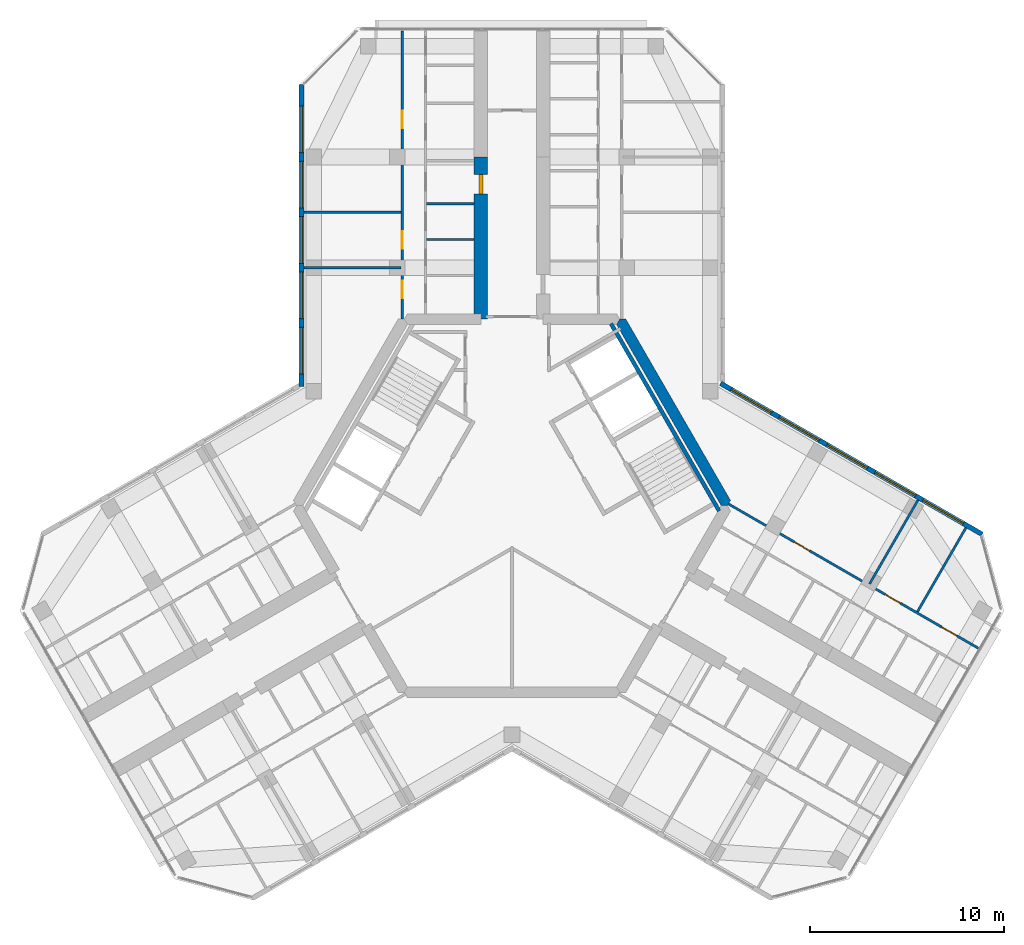
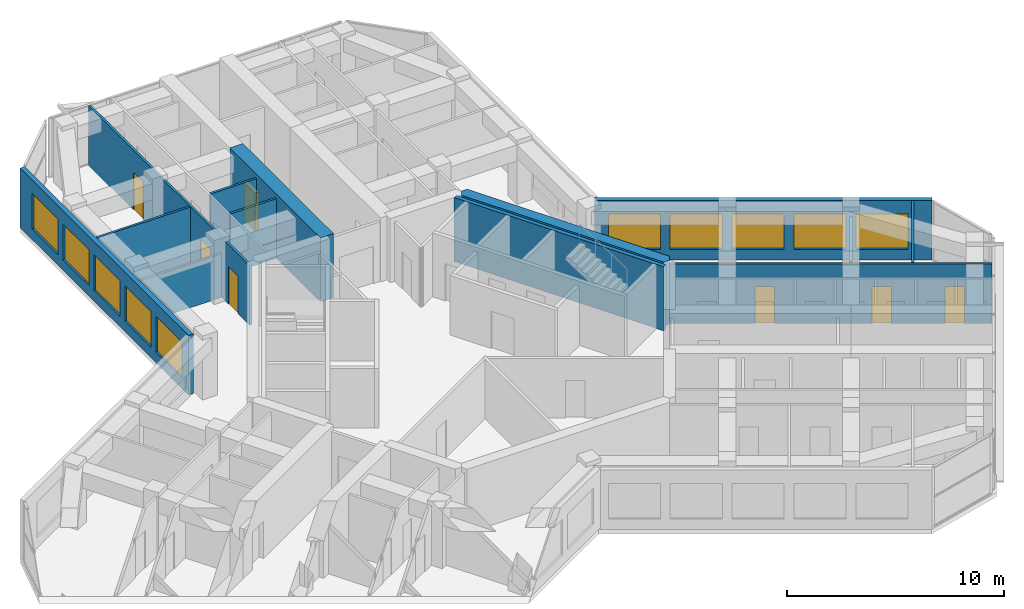
# One storey, part 11 of 14: 13 walls, 10 windows, 7 doors, 17 openings.
"""IFC4 building model written with IfcOpenShell, lengths in metres."""

from ifc_helpers import new_model, si_unit, direction, frame, frame_2d, origin, place, context, subcontext, project, spatial, polyline, rectangle, outline, extrude, material, layer, layer_set, type_object, element, fill, save


model = new_model("IFC4")

# Units and contexts
model_context = context("Model", 3, precision=1e-05, world=origin(), true_north=direction((0.0, 1.0)))
body_context = subcontext(model_context, "Body", "Model", "MODEL_VIEW")
ifc_project = project(units=[si_unit("LENGTHUNIT", "METRE"), si_unit("AREAUNIT", "SQUARE_METRE"), si_unit("VOLUMEUNIT", "CUBIC_METRE"), si_unit("PLANEANGLEUNIT", "RADIAN"), si_unit("MASSUNIT", "GRAM", prefix="KILO")], contexts=[model_context])

# Site, building, storey
site_placement = place(None, origin())
site = spatial("IfcSite", under=ifc_project, at=site_placement, CompositionType="ELEMENT")
building_placement = place(site_placement, origin())
building = spatial("IfcBuilding", under=site, at=building_placement, Name="Kosmar Iwan School Tower", CompositionType="ELEMENT")
storey_placement = place(building_placement, frame((0.0, 0.0, 278.199951171875)))
storey = spatial("IfcBuildingStorey", under=building, at=storey_placement, Name="L70", CompositionType="ELEMENT", Elevation=278.199951171875)

# Wall
ifc_material_1 = material(Name="Concrete C50/60", Category="concrete")
ifc_layer_1 = layer(ifc_material_1, 0.550048828125)
ifc_layer_set_1 = layer_set([ifc_layer_1], Name="Core wall 550")
wall_type_1 = type_object("IfcWallType", Name="Core wall 550", PredefinedType="SHEAR", material=ifc_layer_set_1)
wall_1_placement = place(storey_placement, origin())
element("IfcWall", 1, at=wall_1_placement, inside=storey, type_object=wall_type_1, Name="Core wall F030", PredefinedType="SHEAR", context=body_context, shape_type="SweptSolid", body=[
    extrude(outline(polyline([(10.767578125, 0.0), (11.085205078125, 0.0), (11.243896484375, 0.27490234375), (5.860107421875, 9.60009765625), (5.54248046875, 9.60009765625), (5.3837890625, 9.324951171875), (10.767578125, 0.0)])), origin(), (0.0, 0.0, 1.0), 3.60009765625),
])

# Wall, opening, door
ifc_material_2 = material(Name="Concrete C50/60", Category="concrete")
ifc_layer_2 = layer(ifc_material_2, 0.699951171875)
ifc_layer_set_2 = layer_set([ifc_layer_2], Name="Corridor buttress wall 700")
wall_type_2 = type_object("IfcWallType", Name="Corridor buttress wall 700", PredefinedType="SHEAR", material=ifc_layer_set_2)
wall_2_placement = place(storey_placement, frame((-1.60009765625, 9.60009765625, 0.0), z_axis=(0.0, 0.0, 1.0), x_axis=(0.0, 1.0, 0.0)))
wall_2 = element("IfcWall", 2, at=wall_2_placement, inside=storey, type_object=wall_type_2, Name="Corridor wall AL", PredefinedType="SHEAR", context=body_context, shape_type="SweptSolid", body=[
    extrude(rectangle(XDim=8.349853515625, YDim=0.699951171875, at=frame_2d((4.1748046875, 0.0))), origin(), (0.0, 0.0, 1.0), 3.60009765625),
])
opening_1_placement = place(wall_2_placement, frame((6.449951171875, 0.0, 0.0)))
opening_1 = element("IfcOpeningElement", 3, at=opening_1_placement, cuts=wall_2, Name="Opening D1", PredefinedType="OPENING", context=body_context, shape_type="SweptSolid", body=[
    extrude(rectangle(XDim=1.0, YDim=2.10009765625, at=frame_2d((0.5, 1.050048828125))), frame((0.0, 0.362060546875, 0.0), z_axis=(0.0, -1.0, 0.0), x_axis=(1.0, 0.0, 0.0)), (0.0, 0.0, 1.0), 0.723876953125),
])
ifc_material_3 = material(Name="Timber fire door in steel frame", Category="steel")
door_type_1 = type_object("IfcDoorType", Name="Flat entrance door 1000x2100", OperationType="SINGLE_SWING_LEFT", PredefinedType="DOOR", material=ifc_material_3)
door_1_placement = place(opening_1_placement, origin())
door_1 = element("IfcDoor", 4, at=door_1_placement, inside=storey, type_object=door_type_1, Name="Flat L70-AL1 entrance door", OperationType="SINGLE_SWING_LEFT", OverallHeight=2.10009765625, OverallWidth=1.0, PredefinedType="DOOR", context=body_context, shape_type="SweptSolid", body=[
    extrude(rectangle(XDim=1.0, YDim=2.10009765625, at=frame_2d((0.5, 1.050048828125))), frame((0.0, 0.10009765625, 0.0), z_axis=(0.0, -1.0, 0.0), x_axis=(1.0, 0.0, 0.0)), (0.0, 0.0, 1.0), 0.199951171875),
])
fill(opening_1, door_1)

# Wall, openings, doors
ifc_material_4 = material(Name="Gypsum board on steel studs", Category="steel")
ifc_layer_3 = layer(ifc_material_4, 0.1201171875)
ifc_layer_set_3 = layer_set([ifc_layer_3], Name="Dwelling partition 120")
wall_type_3 = type_object("IfcWallType", Name="Dwelling partition 120", PredefinedType="PARTITIONING", material=ifc_layer_set_3)
wall_3_placement = place(storey_placement, frame((-5.64990234375, 9.60009765625, 0.0), z_axis=(0.0, 0.0, 1.0), x_axis=(0.0, 1.0, 0.0)))
wall_3 = element("IfcWall", 5, at=wall_3_placement, inside=storey, type_object=wall_type_3, Name="Partition L70-AL1-W2", PredefinedType="PARTITIONING", context=body_context, shape_type="SweptSolid", body=[
    extrude(rectangle(XDim=14.844970703125, YDim=0.1201171875, at=frame_2d((7.42236328125, 0.0))), origin(), (0.0, 0.0, 1.0), 3.35009765625),
])
opening_2_placement = place(wall_3_placement, frame((1.074951171875, 0.0, 0.0)))
opening_2 = element("IfcOpeningElement", 6, at=opening_2_placement, cuts=wall_3, Name="Opening D2", PredefinedType="OPENING", context=body_context, shape_type="SweptSolid", body=[
    extrude(rectangle(XDim=0.89990234375, YDim=2.10009765625, at=frame_2d((0.449951171875, 1.050048828125))), frame((0.0, 0.072021484375, 0.0), z_axis=(0.0, -1.0, 0.0), x_axis=(1.0, 0.0, 0.0)), (0.0, 0.0, 1.0), 0.14404296875),
])
opening_3_placement = place(wall_3_placement, frame((3.625, 0.0, 0.0)))
opening_3 = element("IfcOpeningElement", 7, at=opening_3_placement, cuts=wall_3, Name="Opening D2", PredefinedType="OPENING", context=body_context, shape_type="SweptSolid", body=[
    extrude(rectangle(XDim=0.89990234375, YDim=2.10009765625, at=frame_2d((0.449951171875, 1.050048828125))), frame((0.0, 0.072021484375, 0.0), z_axis=(0.0, -1.0, 0.0), x_axis=(1.0, 0.0, 0.0)), (0.0, 0.0, 1.0), 0.14404296875),
])
opening_4_placement = place(wall_3_placement, frame((9.824951171875, 0.0, 0.0)))
opening_4 = element("IfcOpeningElement", 8, at=opening_4_placement, cuts=wall_3, Name="Opening D2", PredefinedType="OPENING", context=body_context, shape_type="SweptSolid", body=[
    extrude(rectangle(XDim=0.89990234375, YDim=2.10009765625, at=frame_2d((0.449951171875, 1.050048828125))), frame((0.0, 0.072021484375, 0.0), z_axis=(0.0, -1.0, 0.0), x_axis=(1.0, 0.0, 0.0)), (0.0, 0.0, 1.0), 0.14404296875),
])
ifc_material_5 = material(Name="Timber door in timber frame", Category="wood")
door_type_2 = type_object("IfcDoorType", Name="Internal door 900x2100", OperationType="SINGLE_SWING_LEFT", PredefinedType="DOOR", material=ifc_material_5)
door_2_placement = place(opening_2_placement, origin())
door_2 = element("IfcDoor", 9, at=door_2_placement, inside=storey, type_object=door_type_2, Name="Bedroom 1 door L70-AL1-F1", OperationType="SINGLE_SWING_RIGHT", OverallHeight=2.10009765625, OverallWidth=0.89990234375, PredefinedType="DOOR", context=body_context, shape_type="SweptSolid", body=[
    extrude(rectangle(XDim=0.89990234375, YDim=2.10009765625, at=frame_2d((0.449951171875, 1.050048828125))), frame((0.0, 0.02490234375, 0.0), z_axis=(0.0, -1.0, 0.0), x_axis=(1.0, 0.0, 0.0)), (0.0, 0.0, 1.0), 0.050048828125),
])
fill(opening_2, door_2)
door_3_placement = place(opening_3_placement, origin())
door_3 = element("IfcDoor", 10, at=door_3_placement, inside=storey, type_object=door_type_2, Name="Study door L70-AL1-F2", OperationType="SINGLE_SWING_LEFT", OverallHeight=2.10009765625, OverallWidth=0.89990234375, PredefinedType="DOOR", context=body_context, shape_type="SweptSolid", body=[
    extrude(rectangle(XDim=0.89990234375, YDim=2.10009765625, at=frame_2d((0.449951171875, 1.050048828125))), frame((0.0, 0.02490234375, 0.0), z_axis=(0.0, -1.0, 0.0), x_axis=(1.0, 0.0, 0.0)), (0.0, 0.0, 1.0), 0.050048828125),
])
fill(opening_3, door_3)
door_4_placement = place(opening_4_placement, origin())
door_4 = element("IfcDoor", 11, at=door_4_placement, inside=storey, type_object=door_type_2, Name="Living room and kitchen door L70-AL1-F3", OperationType="SINGLE_SWING_RIGHT", OverallHeight=2.10009765625, OverallWidth=0.89990234375, PredefinedType="DOOR", context=body_context, shape_type="SweptSolid", body=[
    extrude(rectangle(XDim=0.89990234375, YDim=2.10009765625, at=frame_2d((0.449951171875, 1.050048828125))), frame((0.0, 0.02490234375, 0.0), z_axis=(0.0, -1.0, 0.0), x_axis=(1.0, 0.0, 0.0)), (0.0, 0.0, 1.0), 0.050048828125),
])
fill(opening_4, door_4)

# Walls
wall_4_placement = place(storey_placement, frame((-5.7099609375, 12.25, 0.0), z_axis=(0.0, 0.0, 1.0), x_axis=(-1.0, 0.0, 0.0)))
element("IfcWall", 12, at=wall_4_placement, inside=storey, type_object=wall_type_3, Name="Partition L70-AL1-X1", PredefinedType="PARTITIONING", context=body_context, shape_type="SweptSolid", body=[
    extrude(rectangle(XDim=4.989990234375, YDim=0.1201171875, at=frame_2d((2.4951171875, 0.0))), origin(), (0.0, 0.0, 1.0), 2.449951171875),
])
wall_5_placement = place(storey_placement, frame((-5.7099609375, 15.10009765625, 0.0), z_axis=(0.0, 0.0, 1.0), x_axis=(-1.0, 0.0, 0.0)))
element("IfcWall", 13, at=wall_5_placement, inside=storey, type_object=wall_type_3, Name="Partition L70-AL1-X2", PredefinedType="PARTITIONING", context=body_context, shape_type="SweptSolid", body=[
    extrude(rectangle(XDim=4.989990234375, YDim=0.1201171875, at=frame_2d((2.4951171875, 0.0))), origin(), (0.0, 0.0, 1.0), 3.35009765625),
])
for number, where, z_axis, x_axis, name in (
    (14, (-1.949951171875, 13.699951171875, 0.0), (0.0, 0.0, 1.0), (-1.0, 0.0, 0.0), "Partition L70-AL1-Y2"),
    (15, (-1.949951171875, 15.550048828125, 0.0), (0.0, 0.0, 1.0), (-1.0, 0.0, 0.0), "Partition L70-AL1-Y3"),
):
    element("IfcWall", number, at=place(storey_placement, frame(where, z_axis=z_axis, x_axis=x_axis)), inside=storey, type_object=wall_type_3, Name=name, PredefinedType="PARTITIONING", context=body_context, shape_type="SweptSolid", body=[
        extrude(rectangle(XDim=2.43994140625, YDim=0.1201171875, at=frame_2d((1.219970703125, 0.0))), origin(), (0.0, 0.0, 1.0), 3.35009765625),
    ])

# Wall, openings, doors
wall_6_placement = place(storey_placement, frame((11.138916015625, 0.093017578125, 0.0), z_axis=(0.0, 0.0, 1.0), x_axis=(0.866030301974, -0.499991515992, 0.0)))
wall_6 = element("IfcWall", 16, at=wall_6_placement, inside=storey, type_object=wall_type_3, Name="Partition L70-CL1-W2", PredefinedType="PARTITIONING", context=body_context, shape_type="SweptSolid", body=[
    extrude(rectangle(XDim=14.844970703125, YDim=0.1201171875, at=frame_2d((7.42236328125, 0.0))), origin(), (0.0, 0.0, 1.0), 3.35009765625),
])
opening_5_placement = place(wall_6_placement, frame((3.925048828125, 0.0, 0.0)))
opening_5 = element("IfcOpeningElement", 17, at=opening_5_placement, cuts=wall_6, Name="Opening D2", PredefinedType="OPENING", context=body_context, shape_type="SweptSolid", body=[
    extrude(rectangle(XDim=0.89990234375, YDim=2.10009765625, at=frame_2d((0.449951171875, 1.050048828125))), frame((0.0, 0.072021484375, 0.0), z_axis=(0.0, -1.0, 0.0), x_axis=(1.0, 0.0, 0.0)), (0.0, 0.0, 1.0), 0.14404296875),
])
opening_6_placement = place(wall_6_placement, frame((9.324951171875, 0.0, 0.0)))
opening_6 = element("IfcOpeningElement", 18, at=opening_6_placement, cuts=wall_6, Name="Opening D2", PredefinedType="OPENING", context=body_context, shape_type="SweptSolid", body=[
    extrude(rectangle(XDim=0.89990234375, YDim=2.10009765625, at=frame_2d((0.449951171875, 1.050048828125))), frame((0.0, 0.072021484375, 0.0), z_axis=(0.0, -1.0, 0.0), x_axis=(1.0, 0.0, 0.0)), (0.0, 0.0, 1.0), 0.14404296875),
])
opening_7_placement = place(wall_6_placement, frame((12.675048828125, 0.0, 0.0)))
opening_7 = element("IfcOpeningElement", 19, at=opening_7_placement, cuts=wall_6, Name="Opening D2", PredefinedType="OPENING", context=body_context, shape_type="SweptSolid", body=[
    extrude(rectangle(XDim=0.89990234375, YDim=2.10009765625, at=frame_2d((0.449951171875, 1.050048828125))), frame((0.0, 0.072021484375, 0.0), z_axis=(0.0, -1.0, 0.0), x_axis=(1.0, 0.0, 0.0)), (0.0, 0.0, 1.0), 0.14404296875),
])
door_5_placement = place(opening_5_placement, origin())
door_5 = element("IfcDoor", 20, at=door_5_placement, inside=storey, type_object=door_type_2, Name="Living room door L70-CL1-F1", OperationType="SINGLE_SWING_LEFT", OverallHeight=2.10009765625, OverallWidth=0.89990234375, PredefinedType="DOOR", context=body_context, shape_type="SweptSolid", body=[
    extrude(rectangle(XDim=0.89990234375, YDim=2.10009765625, at=frame_2d((0.449951171875, 1.050048828125))), frame((0.0, 0.02490234375, 0.0), z_axis=(0.0, -1.0, 0.0), x_axis=(1.0, 0.0, 0.0)), (0.0, 0.0, 1.0), 0.050048828125),
])
fill(opening_5, door_5)
door_6_placement = place(opening_6_placement, origin())
door_6 = element("IfcDoor", 21, at=door_6_placement, inside=storey, type_object=door_type_2, Name="Kitchen and dining room door L70-CL1-F2", OperationType="SINGLE_SWING_RIGHT", OverallHeight=2.10009765625, OverallWidth=0.89990234375, PredefinedType="DOOR", context=body_context, shape_type="SweptSolid", body=[
    extrude(rectangle(XDim=0.89990234375, YDim=2.10009765625, at=frame_2d((0.449951171875, 1.050048828125))), frame((0.0, 0.02490234375, 0.0), z_axis=(0.0, -1.0, 0.0), x_axis=(1.0, 0.0, 0.0)), (0.0, 0.0, 1.0), 0.050048828125),
])
fill(opening_6, door_6)
door_7_placement = place(opening_7_placement, origin())
door_7 = element("IfcDoor", 22, at=door_7_placement, inside=storey, type_object=door_type_2, Name="Bedroom 1 door L70-CL1-F3", OperationType="SINGLE_SWING_RIGHT", OverallHeight=2.10009765625, OverallWidth=0.89990234375, PredefinedType="DOOR", context=body_context, shape_type="SweptSolid", body=[
    extrude(rectangle(XDim=0.89990234375, YDim=2.10009765625, at=frame_2d((0.449951171875, 1.050048828125))), frame((0.0, 0.02490234375, 0.0), z_axis=(0.0, -1.0, 0.0), x_axis=(1.0, 0.0, 0.0)), (0.0, 0.0, 1.0), 0.050048828125),
])
fill(opening_7, door_7)

# Walls
wall_7_placement = place(storey_placement, frame((18.400146484375, -4.030029296875, 0.0), z_axis=(0.0, 0.0, 1.0), x_axis=(0.500011847778, 0.866018563358, 0.0)))
element("IfcWall", 23, at=wall_7_placement, inside=storey, type_object=wall_type_3, Name="Partition L70-CL1-X1", PredefinedType="PARTITIONING", context=body_context, shape_type="SweptSolid", body=[
    extrude(rectangle(XDim=4.990234375, YDim=0.1201171875, at=frame_2d((2.4951171875, 0.0))), origin(), (0.0, 0.0, 1.0), 2.449951171875),
])
wall_8_placement = place(storey_placement, frame((20.868408203125, -5.455078125, 0.0), z_axis=(0.0, 0.0, 1.0), x_axis=(0.499975153383, 0.86603974851, 0.0)))
element("IfcWall", 24, at=wall_8_placement, inside=storey, type_object=wall_type_3, Name="Partition L70-CL1-X2", PredefinedType="PARTITIONING", context=body_context, shape_type="SweptSolid", body=[
    extrude(rectangle(XDim=4.989990234375, YDim=0.1201171875, at=frame_2d((2.4951171875, 0.0))), origin(), (0.0, 0.0, 1.0), 3.35009765625),
])

# Wall, openings, windows
ifc_material_6 = material(Name="Black aluminium rainscreen on insulated framing", Category="aluminium")
ifc_layer_4 = layer(ifc_material_6, 0.25)
ifc_layer_set_4 = layer_set([ifc_layer_4], Name="External wall rainscreen 250")
wall_type_4 = type_object("IfcWallType", Name="External wall rainscreen 250", PredefinedType="SOLIDWALL", material=ifc_layer_set_4)
wall_9_placement = place(storey_placement, frame((10.73681640625, 6.30078125, 0.0), z_axis=(0.0, 0.0, 1.0), x_axis=(0.866023091024, -0.500004005797, 0.0)))
wall_9 = element("IfcWall", 25, at=wall_9_placement, inside=storey, type_object=wall_type_4, Name="External wall CL L70", PredefinedType="SOLIDWALL", context=body_context, shape_type="SweptSolid", body=[
    extrude(rectangle(XDim=15.537353515625, YDim=0.25, at=frame_2d((7.7685546875, 0.0))), origin(), (0.0, 0.0, 1.0), 3.35009765625),
])
opening_8_placement = place(wall_9_placement, frame((0.626953125, 0.0, 0.60009765625)))
opening_8 = element("IfcOpeningElement", 26, at=opening_8_placement, cuts=wall_9, Name="Opening W6", PredefinedType="OPENING", context=body_context, shape_type="SweptSolid", body=[
    extrude(rectangle(XDim=2.39990234375, YDim=2.0, at=frame_2d((1.199951171875, 1.0))), frame((0.0, 0.136962890625, 0.0), z_axis=(0.0, -1.0, 0.0), x_axis=(1.0, 0.0, 0.0)), (0.0, 0.0, 1.0), 0.27392578125),
])
opening_9_placement = place(wall_9_placement, frame((3.47705078125, 0.0, 0.60009765625)))
opening_9 = element("IfcOpeningElement", 27, at=opening_9_placement, cuts=wall_9, Name="Opening W6", PredefinedType="OPENING", context=body_context, shape_type="SweptSolid", body=[
    extrude(rectangle(XDim=2.39990234375, YDim=2.0, at=frame_2d((1.199951171875, 1.0))), frame((0.0, 0.136962890625, 0.0), z_axis=(0.0, -1.0, 0.0), x_axis=(1.0, 0.0, 0.0)), (0.0, 0.0, 1.0), 0.27392578125),
])
opening_10_placement = place(wall_9_placement, frame((6.326904296875, 0.0, 0.60009765625)))
opening_10 = element("IfcOpeningElement", 28, at=opening_10_placement, cuts=wall_9, Name="Opening W6", PredefinedType="OPENING", context=body_context, shape_type="SweptSolid", body=[
    extrude(rectangle(XDim=2.39990234375, YDim=2.0, at=frame_2d((1.199951171875, 1.0))), frame((0.0, 0.136962890625, 0.0), z_axis=(0.0, -1.0, 0.0), x_axis=(1.0, 0.0, 0.0)), (0.0, 0.0, 1.0), 0.27392578125),
])
opening_11_placement = place(wall_9_placement, frame((9.177001953125, 0.0, 0.60009765625)))
opening_11 = element("IfcOpeningElement", 29, at=opening_11_placement, cuts=wall_9, Name="Opening W6", PredefinedType="OPENING", context=body_context, shape_type="SweptSolid", body=[
    extrude(rectangle(XDim=2.39990234375, YDim=2.0, at=frame_2d((1.199951171875, 1.0))), frame((0.0, 0.136962890625, 0.0), z_axis=(0.0, -1.0, 0.0), x_axis=(1.0, 0.0, 0.0)), (0.0, 0.0, 1.0), 0.27392578125),
])
opening_12_placement = place(wall_9_placement, frame((12.027099609375, 0.0, 0.60009765625)))
opening_12 = element("IfcOpeningElement", 30, at=opening_12_placement, cuts=wall_9, Name="Opening W6", PredefinedType="OPENING", context=body_context, shape_type="SweptSolid", body=[
    extrude(rectangle(XDim=2.39990234375, YDim=2.0, at=frame_2d((1.199951171875, 1.0))), frame((0.0, 0.136962890625, 0.0), z_axis=(0.0, -1.0, 0.0), x_axis=(1.0, 0.0, 0.0)), (0.0, 0.0, 1.0), 0.27392578125),
])
ifc_material_7 = material(Name="Black aluminium frame with dark triple glazing", Category="aluminium")
window_type = type_object("IfcWindowType", Name="Window 2400x2000", PartitioningType="SINGLE_PANEL", PredefinedType="WINDOW", material=ifc_material_7)
window_1_placement = place(opening_8_placement, origin())
window_1 = element("IfcWindow", 31, at=window_1_placement, inside=storey, type_object=window_type, Name="Window CL L70 -1", OverallHeight=2.0, OverallWidth=2.39990234375, PartitioningType="SINGLE_PANEL", PredefinedType="WINDOW", context=body_context, shape_type="SweptSolid", body=[
    extrude(rectangle(XDim=2.39990234375, YDim=2.0, at=frame_2d((1.199951171875, 1.0))), frame((0.0, 0.030029296875, 0.0), z_axis=(0.0, -1.0, 0.0), x_axis=(1.0, 0.0, 0.0)), (0.0, 0.0, 1.0), 0.06005859375),
])
fill(opening_8, window_1)
window_2_placement = place(opening_9_placement, origin())
window_2 = element("IfcWindow", 32, at=window_2_placement, inside=storey, type_object=window_type, Name="Window CL L70 0", OverallHeight=2.0, OverallWidth=2.39990234375, PartitioningType="SINGLE_PANEL", PredefinedType="WINDOW", context=body_context, shape_type="SweptSolid", body=[
    extrude(rectangle(XDim=2.39990234375, YDim=2.0, at=frame_2d((1.199951171875, 1.0))), frame((0.0, 0.030029296875, 0.0), z_axis=(0.0, -1.0, 0.0), x_axis=(1.0, 0.0, 0.0)), (0.0, 0.0, 1.0), 0.06005859375),
])
fill(opening_9, window_2)
window_3_placement = place(opening_10_placement, origin())
window_3 = element("IfcWindow", 33, at=window_3_placement, inside=storey, type_object=window_type, Name="Window CL L70 1", OverallHeight=2.0, OverallWidth=2.39990234375, PartitioningType="SINGLE_PANEL", PredefinedType="WINDOW", context=body_context, shape_type="SweptSolid", body=[
    extrude(rectangle(XDim=2.39990234375, YDim=2.0, at=frame_2d((1.199951171875, 1.0))), frame((0.0, 0.030029296875, 0.0), z_axis=(0.0, -1.0, 0.0), x_axis=(1.0, 0.0, 0.0)), (0.0, 0.0, 1.0), 0.06005859375),
])
fill(opening_10, window_3)
window_4_placement = place(opening_11_placement, origin())
window_4 = element("IfcWindow", 34, at=window_4_placement, inside=storey, type_object=window_type, Name="Window CL L70 2", OverallHeight=2.0, OverallWidth=2.39990234375, PartitioningType="SINGLE_PANEL", PredefinedType="WINDOW", context=body_context, shape_type="SweptSolid", body=[
    extrude(rectangle(XDim=2.39990234375, YDim=2.0, at=frame_2d((1.199951171875, 1.0))), frame((0.0, 0.030029296875, 0.0), z_axis=(0.0, -1.0, 0.0), x_axis=(1.0, 0.0, 0.0)), (0.0, 0.0, 1.0), 0.06005859375),
])
fill(opening_11, window_4)
window_5_placement = place(opening_12_placement, origin())
window_5 = element("IfcWindow", 35, at=window_5_placement, inside=storey, type_object=window_type, Name="Window CL L70 3", OverallHeight=2.0, OverallWidth=2.39990234375, PartitioningType="SINGLE_PANEL", PredefinedType="WINDOW", context=body_context, shape_type="SweptSolid", body=[
    extrude(rectangle(XDim=2.39990234375, YDim=2.0, at=frame_2d((1.199951171875, 1.0))), frame((0.0, 0.030029296875, 0.0), z_axis=(0.0, -1.0, 0.0), x_axis=(1.0, 0.0, 0.0)), (0.0, 0.0, 1.0), 0.06005859375),
])
fill(opening_12, window_5)

wall_10_placement = place(storey_placement, frame((-10.824951171875, 6.14794921875, 0.0), z_axis=(0.0, 0.0, 1.0), x_axis=(0.0, 1.0, 0.0)))
wall_10 = element("IfcWall", 36, at=wall_10_placement, inside=storey, type_object=wall_type_4, Name="External wall AL L70", PredefinedType="SOLIDWALL", context=body_context, shape_type="SweptSolid", body=[
    extrude(rectangle(XDim=15.537353515625, YDim=0.25, at=frame_2d((7.7685546875, 0.0))), origin(), (0.0, 0.0, 1.0), 3.35009765625),
])
opening_13_placement = place(wall_10_placement, frame((0.626953125, 0.0, 0.60009765625)))
opening_13 = element("IfcOpeningElement", 37, at=opening_13_placement, cuts=wall_10, Name="Opening W6", PredefinedType="OPENING", context=body_context, shape_type="SweptSolid", body=[
    extrude(rectangle(XDim=2.39990234375, YDim=2.0, at=frame_2d((1.199951171875, 1.0))), frame((0.0, 0.136962890625, 0.0), z_axis=(0.0, -1.0, 0.0), x_axis=(1.0, 0.0, 0.0)), (0.0, 0.0, 1.0), 0.27392578125),
])
opening_14_placement = place(wall_10_placement, frame((3.47705078125, 0.0, 0.60009765625)))
opening_14 = element("IfcOpeningElement", 38, at=opening_14_placement, cuts=wall_10, Name="Opening W6", PredefinedType="OPENING", context=body_context, shape_type="SweptSolid", body=[
    extrude(rectangle(XDim=2.39990234375, YDim=2.0, at=frame_2d((1.199951171875, 1.0))), frame((0.0, 0.136962890625, 0.0), z_axis=(0.0, -1.0, 0.0), x_axis=(1.0, 0.0, 0.0)), (0.0, 0.0, 1.0), 0.27392578125),
])
opening_15_placement = place(wall_10_placement, frame((6.326904296875, 0.0, 0.60009765625)))
opening_15 = element("IfcOpeningElement", 39, at=opening_15_placement, cuts=wall_10, Name="Opening W6", PredefinedType="OPENING", context=body_context, shape_type="SweptSolid", body=[
    extrude(rectangle(XDim=2.39990234375, YDim=2.0, at=frame_2d((1.199951171875, 1.0))), frame((0.0, 0.136962890625, 0.0), z_axis=(0.0, -1.0, 0.0), x_axis=(1.0, 0.0, 0.0)), (0.0, 0.0, 1.0), 0.27392578125),
])
opening_16_placement = place(wall_10_placement, frame((9.177001953125, 0.0, 0.60009765625)))
opening_16 = element("IfcOpeningElement", 40, at=opening_16_placement, cuts=wall_10, Name="Opening W6", PredefinedType="OPENING", context=body_context, shape_type="SweptSolid", body=[
    extrude(rectangle(XDim=2.39990234375, YDim=2.0, at=frame_2d((1.199951171875, 1.0))), frame((0.0, 0.136962890625, 0.0), z_axis=(0.0, -1.0, 0.0), x_axis=(1.0, 0.0, 0.0)), (0.0, 0.0, 1.0), 0.27392578125),
])
opening_17_placement = place(wall_10_placement, frame((12.027099609375, 0.0, 0.60009765625)))
opening_17 = element("IfcOpeningElement", 41, at=opening_17_placement, cuts=wall_10, Name="Opening W6", PredefinedType="OPENING", context=body_context, shape_type="SweptSolid", body=[
    extrude(rectangle(XDim=2.39990234375, YDim=2.0, at=frame_2d((1.199951171875, 1.0))), frame((0.0, 0.136962890625, 0.0), z_axis=(0.0, -1.0, 0.0), x_axis=(1.0, 0.0, 0.0)), (0.0, 0.0, 1.0), 0.27392578125),
])
window_6_placement = place(opening_13_placement, origin())
window_6 = element("IfcWindow", 42, at=window_6_placement, inside=storey, type_object=window_type, Name="Window AL L70 -1", OverallHeight=2.0, OverallWidth=2.39990234375, PartitioningType="SINGLE_PANEL", PredefinedType="WINDOW", context=body_context, shape_type="SweptSolid", body=[
    extrude(rectangle(XDim=2.39990234375, YDim=2.0, at=frame_2d((1.199951171875, 1.0))), frame((0.0, 0.030029296875, 0.0), z_axis=(0.0, -1.0, 0.0), x_axis=(1.0, 0.0, 0.0)), (0.0, 0.0, 1.0), 0.06005859375),
])
fill(opening_13, window_6)
window_7_placement = place(opening_14_placement, origin())
window_7 = element("IfcWindow", 43, at=window_7_placement, inside=storey, type_object=window_type, Name="Window AL L70 0", OverallHeight=2.0, OverallWidth=2.39990234375, PartitioningType="SINGLE_PANEL", PredefinedType="WINDOW", context=body_context, shape_type="SweptSolid", body=[
    extrude(rectangle(XDim=2.39990234375, YDim=2.0, at=frame_2d((1.199951171875, 1.0))), frame((0.0, 0.030029296875, 0.0), z_axis=(0.0, -1.0, 0.0), x_axis=(1.0, 0.0, 0.0)), (0.0, 0.0, 1.0), 0.06005859375),
])
fill(opening_14, window_7)
window_8_placement = place(opening_15_placement, origin())
window_8 = element("IfcWindow", 44, at=window_8_placement, inside=storey, type_object=window_type, Name="Window AL L70 1", OverallHeight=2.0, OverallWidth=2.39990234375, PartitioningType="SINGLE_PANEL", PredefinedType="WINDOW", context=body_context, shape_type="SweptSolid", body=[
    extrude(rectangle(XDim=2.39990234375, YDim=2.0, at=frame_2d((1.199951171875, 1.0))), frame((0.0, 0.030029296875, 0.0), z_axis=(0.0, -1.0, 0.0), x_axis=(1.0, 0.0, 0.0)), (0.0, 0.0, 1.0), 0.06005859375),
])
fill(opening_15, window_8)
window_9_placement = place(opening_16_placement, origin())
window_9 = element("IfcWindow", 45, at=window_9_placement, inside=storey, type_object=window_type, Name="Window AL L70 2", OverallHeight=2.0, OverallWidth=2.39990234375, PartitioningType="SINGLE_PANEL", PredefinedType="WINDOW", context=body_context, shape_type="SweptSolid", body=[
    extrude(rectangle(XDim=2.39990234375, YDim=2.0, at=frame_2d((1.199951171875, 1.0))), frame((0.0, 0.030029296875, 0.0), z_axis=(0.0, -1.0, 0.0), x_axis=(1.0, 0.0, 0.0)), (0.0, 0.0, 1.0), 0.06005859375),
])
fill(opening_16, window_9)
window_10_placement = place(opening_17_placement, origin())
window_10 = element("IfcWindow", 46, at=window_10_placement, inside=storey, type_object=window_type, Name="Window AL L70 3", OverallHeight=2.0, OverallWidth=2.39990234375, PartitioningType="SINGLE_PANEL", PredefinedType="WINDOW", context=body_context, shape_type="SweptSolid", body=[
    extrude(rectangle(XDim=2.39990234375, YDim=2.0, at=frame_2d((1.199951171875, 1.0))), frame((0.0, 0.030029296875, 0.0), z_axis=(0.0, -1.0, 0.0), x_axis=(1.0, 0.0, 0.0)), (0.0, 0.0, 1.0), 0.06005859375),
])
fill(opening_17, window_10)

# Wall
ifc_material_8 = material(Name="Concrete C50/60", Category="concrete")
ifc_layer_5 = layer(ifc_material_8, 0.199951171875)
ifc_layer_set_5 = layer_set([ifc_layer_5], Name="Lift shaft wall 200")
wall_type_5 = type_object("IfcWallType", Name="Lift shaft wall 200", PredefinedType="SHEAR", material=ifc_layer_set_5)
wall_11_placement = place(storey_placement, frame((10.66650390625, -0.27490234375, 0.0), z_axis=(0.0, 0.0, 1.0), x_axis=(-0.499994302092, 0.866028693448, 0.0)))
element("IfcWall", 47, at=wall_11_placement, inside=storey, type_object=wall_type_5, Name="Lift and stair back wall AC", PredefinedType="SHEAR", context=body_context, shape_type="SweptSolid", body=[
    extrude(rectangle(XDim=11.142822265625, YDim=0.199951171875, at=frame_2d((5.5712890625, 0.0))), origin(), (0.0, 0.0, 1.0), 3.60009765625),
])

save(model, "model.ifc")
